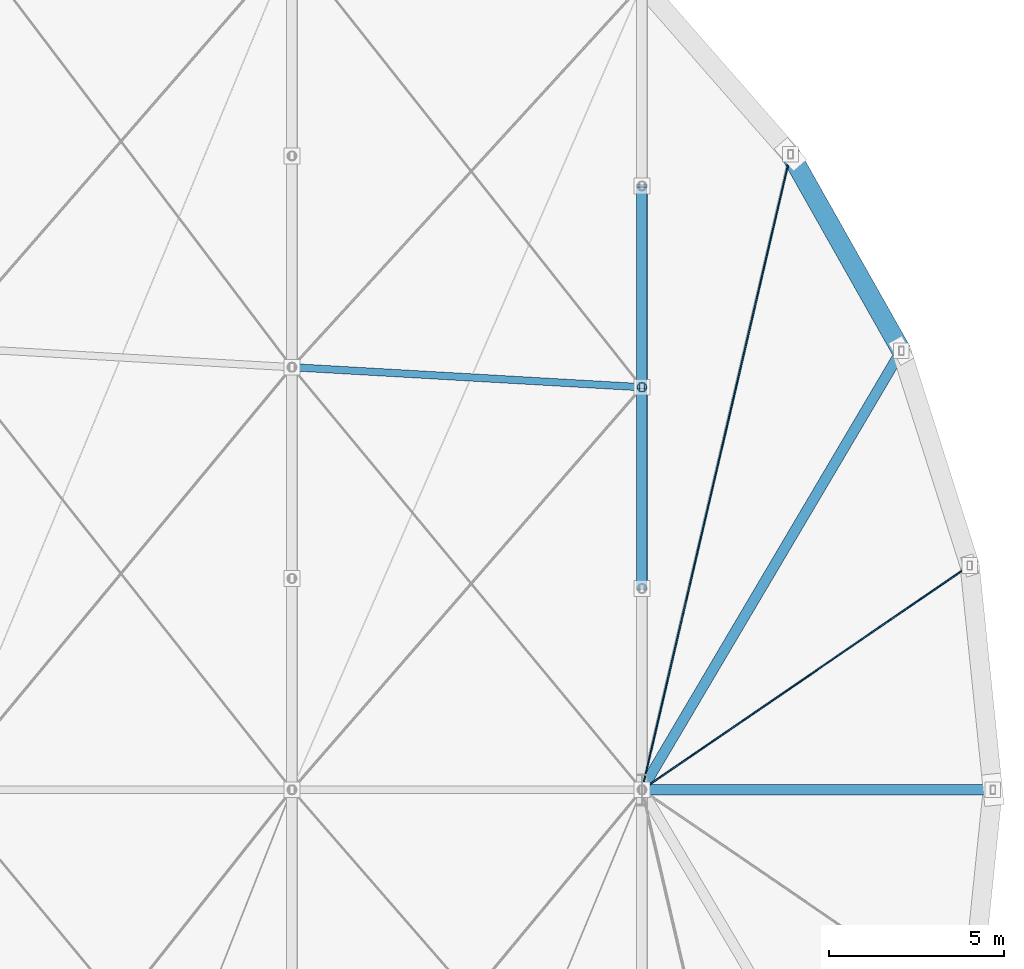
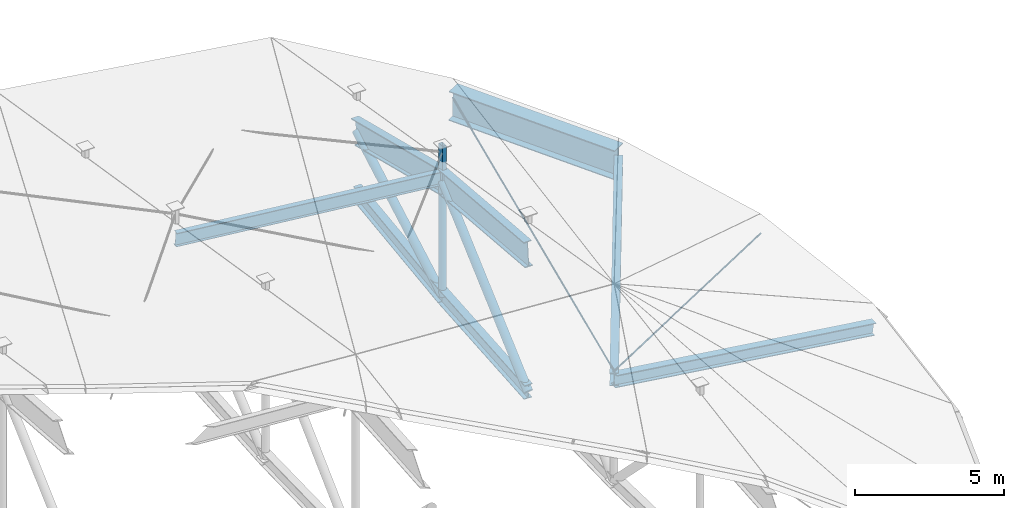
# One storey, part 31 of 68: 8 beams, 6 members.
"""IFC4 building model written with IfcOpenShell, lengths in metres."""

from ifc_helpers import new_model, si_unit, direction, frame, origin, origin_2d, place, context, subcontext, project, spatial, hollow_rectangle, circle, hollow_circle, i_section, extrude, material, material_profile, profile_set, type_object, element, save


model = new_model("IFC4")

# Units and contexts
model_context = context("Model", 3, precision=1e-05, world=origin(), true_north=direction((0.0, 1.0)))
body_context = subcontext(model_context, "Body", "Model", "MODEL_VIEW")
ifc_project = project(units=[si_unit("LENGTHUNIT", "METRE"), si_unit("AREAUNIT", "SQUARE_METRE"), si_unit("VOLUMEUNIT", "CUBIC_METRE"), si_unit("PLANEANGLEUNIT", "RADIAN"), si_unit("MASSUNIT", "GRAM", prefix="KILO")], contexts=[model_context])

# Site, building, storey
site_placement = place(None, origin())
site = spatial("IfcSite", under=ifc_project, at=site_placement, CompositionType="ELEMENT")
building_placement = place(site_placement, origin())
building = spatial("IfcBuilding", under=site, at=building_placement, Name="Sohan Crest Arena", CompositionType="ELEMENT")
storey_placement = place(building_placement, frame((0.0, 0.0, 27.0)))
storey = spatial("IfcBuildingStorey", under=building, at=storey_placement, Name="RF", CompositionType="ELEMENT", Elevation=27.0)

# Beams
ifc_material_1 = material(Name="Steel S355", Category="steel")
ifc_material_profile_1 = material_profile(ifc_material_1, i_section(OverallWidth=0.2099609375, OverallDepth=0.550048828125, WebThickness=0.010986328125, FlangeThickness=0.01708984375, at=origin_2d()), Name="IPE 550")
ifc_profile_set_1 = profile_set([ifc_material_profile_1], Name="Steel S355")
beam_type_1 = type_object("IfcBeamType", Name="STR-BM-B06", PredefinedType="BEAM", material=ifc_profile_set_1)
beam_1_placement = place(storey_placement, frame((158.0, 90.072021484375, -0.465087890625), z_axis=(0.996467598154, -0.057000087463, -0.061671029329), x_axis=(0.057108792309, 0.998367961145, 0.0)))
element("IfcBeam", 1, at=beam_1_placement, inside=storey, type_object=beam_type_1, Name="Structural beam RP-RF-3164", PredefinedType="BEAM", context=body_context, shape_type="SweptSolid", body=[
    extrude(i_section(OverallWidth=0.2099609375, OverallDepth=0.550048828125, WebThickness=0.010986328125, FlangeThickness=0.01708984375, at=origin_2d()), origin(), (0.0, 0.0, 1.0), 10.035400390625),
])
ifc_material_profile_2 = material_profile(ifc_material_1, i_section(OverallWidth=0.300048828125, OverallDepth=0.5, WebThickness=0.014404296875, FlangeThickness=0.028076171875, at=origin_2d()), Name="HEB 500")
ifc_profile_set_2 = profile_set([ifc_material_profile_2], Name="Steel S355")
beam_type_2 = type_object("IfcBeamType", Name="STR-BM-B14", PredefinedType="BEAM", material=ifc_profile_set_2)
beam_2_placement = place(storey_placement, frame((178.02294921875, 78.0, -3.77001953125), z_axis=(-0.990853652003, 0.0, 0.134940877097), x_axis=(0.0, -1.0, 0.0)))
element("IfcBeam", 2, at=beam_2_placement, inside=storey, type_object=beam_type_2, Name="Structural beam RP-RF-3171", PredefinedType="BEAM", context=body_context, shape_type="SweptSolid", body=[
    extrude(i_section(OverallWidth=0.300048828125, OverallDepth=0.5, WebThickness=0.014404296875, FlangeThickness=0.028076171875, at=origin_2d()), origin(), (0.0, 0.0, 1.0), 10.115478515625),
])
beam_3_placement = place(storey_placement, frame((175.408935546875, 90.544921875, -3.68701171875), z_axis=(-0.506569910729, -0.857731844759, 0.087652769672), x_axis=(0.861045933989, -0.508527186649, 0.0)))
element("IfcBeam", 3, at=beam_3_placement, inside=storey, type_object=beam_type_2, Name="Structural beam RP-RF-3172", PredefinedType="BEAM", context=body_context, shape_type="SweptSolid", body=[
    extrude(i_section(OverallWidth=0.300048828125, OverallDepth=0.5, WebThickness=0.014404296875, FlangeThickness=0.028076171875, at=origin_2d()), origin(), (0.0, 0.0, 1.0), 14.625732421875),
])
ifc_material_profile_3 = material_profile(ifc_material_1, i_section(OverallWidth=0.300048828125, OverallDepth=0.60009765625, WebThickness=0.015380859375, FlangeThickness=0.030029296875, at=origin_2d()), Name="HEB 600")
ifc_profile_set_3 = profile_set([ifc_material_profile_3], Name="Steel S355")
beam_type_3 = type_object("IfcBeamType", Name="STR-BM-B15", PredefinedType="BEAM", material=ifc_profile_set_3)
beam_4_placement = place(storey_placement, frame((168.0, 83.75, -6.381103515625), z_axis=(0.0, 0.996948979363, 0.078055957793), x_axis=(-1.0, 0.0, 0.0)))
element("IfcBeam", 4, at=beam_4_placement, inside=storey, type_object=beam_type_3, Name="Structural beam RAB-RF-3139", PredefinedType="BEAM", context=body_context, shape_type="SweptSolid", body=[
    extrude(i_section(OverallWidth=0.300048828125, OverallDepth=0.60009765625, WebThickness=0.015380859375, FlangeThickness=0.030029296875, at=origin_2d()), origin(), (0.0, 0.0, 1.0), 5.767578125),
])
beam_5_placement = place(storey_placement, frame((168.0, 89.5, -5.930908203125), z_axis=(0.0, 0.991600411186, 0.129339184068), x_axis=(-1.0, 0.0, 0.0)))
element("IfcBeam", 5, at=beam_5_placement, inside=storey, type_object=beam_type_3, Name="Structural beam RAB-RF-3141", PredefinedType="BEAM", context=body_context, shape_type="SweptSolid", body=[
    extrude(i_section(OverallWidth=0.300048828125, OverallDepth=0.60009765625, WebThickness=0.015380859375, FlangeThickness=0.030029296875, at=origin_2d()), origin(), (0.0, 0.0, 1.0), 5.798828125),
])
ifc_material_profile_4 = material_profile(ifc_material_1, i_section(OverallWidth=0.300048828125, OverallDepth=1.0, WebThickness=0.01904296875, FlangeThickness=0.035888671875, at=origin_2d()), Name="HEB 1000")
ifc_profile_set_4 = profile_set([ifc_material_profile_4], Name="Steel S355")
beam_type_4 = type_object("IfcBeamType", Name="STR-BM-B19", PredefinedType="BEAM", material=ifc_profile_set_4)
beam_6_placement = place(storey_placement, frame((168.0, 83.75, -0.761962890625), z_axis=(0.0, 0.996505959769, -0.083521686676), x_axis=(-1.0, 0.0, 0.0)))
element("IfcBeam", 6, at=beam_6_placement, inside=storey, type_object=beam_type_4, Name="Structural beam RA-RF-3138", PredefinedType="BEAM", context=body_context, shape_type="SweptSolid", body=[
    extrude(i_section(OverallWidth=0.300048828125, OverallDepth=1.0, WebThickness=0.01904296875, FlangeThickness=0.035888671875, at=origin_2d()), origin(), (0.0, 0.0, 1.0), 5.770263671875),
])
beam_7_placement = place(storey_placement, frame((168.0, 89.5, -1.243896484375), z_axis=(0.0, 0.969880319214, -0.243581950074), x_axis=(-1.0, 0.0, 0.0)))
element("IfcBeam", 7, at=beam_7_placement, inside=storey, type_object=beam_type_4, Name="Structural beam RA-RF-3140", PredefinedType="BEAM", context=body_context, shape_type="SweptSolid", body=[
    extrude(i_section(OverallWidth=0.300048828125, OverallDepth=1.0, WebThickness=0.01904296875, FlangeThickness=0.035888671875, at=origin_2d()), origin(), (0.0, 0.0, 1.0), 5.928466796875),
])
ifc_material_profile_5 = material_profile(ifc_material_1, i_section(OverallWidth=0.550048828125, OverallDepth=1.199951171875, WebThickness=0.02197265625, FlangeThickness=0.034912109375, at=origin_2d()), Name="PG 1200x550x22x35")
ifc_profile_set_5 = profile_set([ifc_material_profile_5], Name="Steel S355")
beam_type_5 = type_object("IfcBeamType", Name="STR-BM-RB01", PredefinedType="USERDEFINED", material=ifc_profile_set_5)
beam_8_placement = place(storey_placement, frame((175.408935546875, 90.544921875, -3.68701171875), z_axis=(-0.491424269642, 0.870641008254, 0.022054975704), x_axis=(-0.870852834985, -0.491543833039, 0.0)))
element("IfcBeam", 8, at=beam_8_placement, inside=storey, type_object=beam_type_5, Name="Rising compression ring beam segment RB-26", ObjectType="RING BEAM", PredefinedType="USERDEFINED", context=body_context, shape_type="SweptSolid", body=[
    extrude(i_section(OverallWidth=0.550048828125, OverallDepth=1.199951171875, WebThickness=0.02197265625, FlangeThickness=0.034912109375, at=origin_2d()), origin(), (0.0, 0.0, 1.0), 6.442626953125),
])

# Members
ifc_material_profile_6 = material_profile(ifc_material_1, hollow_circle(Radius=0.136474609375, WallThickness=0.012451171875, at=origin_2d()), Name="CHS 273x12.5")
ifc_profile_set_6 = profile_set([ifc_material_profile_6], Name="Steel S355")
member_type_1 = type_object("IfcMemberType", Name="STR-MEM-BR02", PredefinedType="BRACE", material=ifc_profile_set_6)
member_1_placement = place(storey_placement, frame((168.0, 89.5, -5.930908203125), z_axis=(0.0, 0.0, 1.0), x_axis=(1.0, 0.0, 0.0)))
element("IfcMember", 9, at=member_1_placement, inside=storey, type_object=member_type_1, Name="Lenticular roof truss web strut TW-249", PredefinedType="BRACE", context=body_context, shape_type="SweptSolid", body=[
    extrude(hollow_circle(Radius=0.136474609375, WallThickness=0.012451171875, at=origin_2d()), origin(), (0.0, 0.0, 1.0), 4.68701171875),
])
ifc_material_profile_7 = material_profile(ifc_material_1, hollow_circle(Radius=0.161865234375, WallThickness=0.012451171875, at=origin_2d()), Name="CHS 323.9x12.5")
ifc_profile_set_7 = profile_set([ifc_material_profile_7], Name="Steel S355")
member_type_2 = type_object("IfcMemberType", Name="STR-MEM-BR03", PredefinedType="BRACE", material=ifc_profile_set_7)
member_2_placement = place(storey_placement, frame((168.0, 83.75, -6.381103515625), z_axis=(0.0, 0.745726387795, 0.666252320481), x_axis=(-1.0, 0.0, 0.0)))
element("IfcMember", 10, at=member_2_placement, inside=storey, type_object=member_type_2, Name="Lenticular roof truss web diagonal TD-248", PredefinedType="BRACE", context=body_context, shape_type="SweptSolid", body=[
    extrude(hollow_circle(Radius=0.161865234375, WallThickness=0.012451171875, at=origin_2d()), origin(), (0.0, 0.0, 1.0), 7.710693359375),
])
member_3_placement = place(storey_placement, frame((168.0, 89.5, -5.930908203125), z_axis=(0.0, 0.871021884695, 0.491244212568), x_axis=(-1.0, 0.0, 0.0)))
element("IfcMember", 11, at=member_3_placement, inside=storey, type_object=member_type_2, Name="Lenticular roof truss web diagonal TD-250", PredefinedType="BRACE", context=body_context, shape_type="SweptSolid", body=[
    extrude(hollow_circle(Radius=0.161865234375, WallThickness=0.012451171875, at=origin_2d()), origin(), (0.0, 0.0, 1.0), 6.6015625),
])
ifc_material_2 = material(Name="Steel S460", Category="steel")
ifc_material_profile_8 = material_profile(ifc_material_2, circle(Radius=0.02197265625, at=origin_2d()), Name="FLC D44")
ifc_profile_set_8 = profile_set([ifc_material_profile_8], Name="Steel S460")
member_type_3 = type_object("IfcMemberType", Name="STR-MEM-CB03", PredefinedType="USERDEFINED", material=ifc_profile_set_8)
member_4_placement = place(storey_placement, frame((177.363037109375, 84.406982421875, -3.5859375), z_axis=(-0.817865490821, -0.559652788079, 0.133734048472), x_axis=(0.56472557259, -0.82527875755, 0.0)))
element("IfcMember", 12, at=member_4_placement, inside=storey, type_object=member_type_3, Name="East apse radial locked-coil cable CB-065", ObjectType="CABLE", PredefinedType="USERDEFINED", context=body_context, shape_type="SweptSolid", body=[
    extrude(circle(Radius=0.02197265625, at=origin_2d()), origin(), (0.0, 0.0, 1.0), 11.4482421875),
])
member_5_placement = place(storey_placement, frame((172.242919921875, 96.154052734375, -3.375), z_axis=(-0.227016005852, -0.971326496298, 0.070629814353), x_axis=(0.973758364187, -0.227584375949, 0.0)))
element("IfcMember", 13, at=member_5_placement, inside=storey, type_object=member_type_3, Name="East apse radial locked-coil cable CB-066", ObjectType="CABLE", PredefinedType="USERDEFINED", context=body_context, shape_type="SweptSolid", body=[
    extrude(circle(Radius=0.02197265625, at=origin_2d()), origin(), (0.0, 0.0, 1.0), 18.68994140625),
])
ifc_material_profile_9 = material_profile(ifc_material_1, hollow_rectangle(XDim=0.14990234375, YDim=0.25, WallThickness=0.010009765625, at=origin_2d()), Name="RHS 250x150x10")
ifc_profile_set_9 = profile_set([ifc_material_profile_9], Name="Steel S355")
member_type_4 = type_object("IfcMemberType", Name="STR-MEM-CH02", PredefinedType="CHORD", material=ifc_profile_set_9)
member_6_placement = place(storey_placement, frame((168.0, 89.5, -1.243896484375), z_axis=(0.0, 0.0, 1.0), x_axis=(1.0, 0.0, 0.0)))
element("IfcMember", 14, at=member_6_placement, inside=storey, type_object=member_type_4, Name="Roof deck bearing saddle chord RSP-235", PredefinedType="CHORD", context=body_context, shape_type="SweptSolid", body=[
    extrude(hollow_rectangle(XDim=0.14990234375, YDim=0.25, WallThickness=0.010009765625, at=origin_2d()), origin(), (0.0, 0.0, 1.0), 1.489990234375),
])

save(model, "model.ifc")
